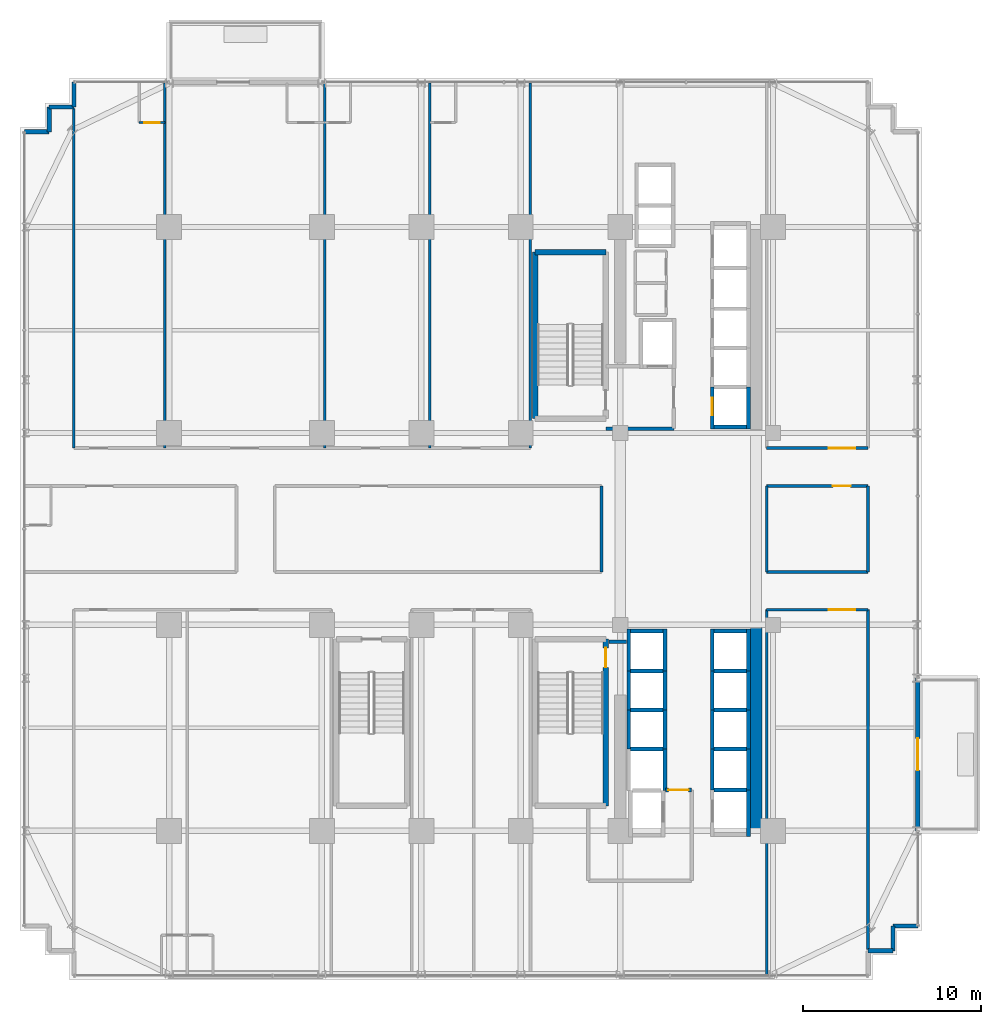
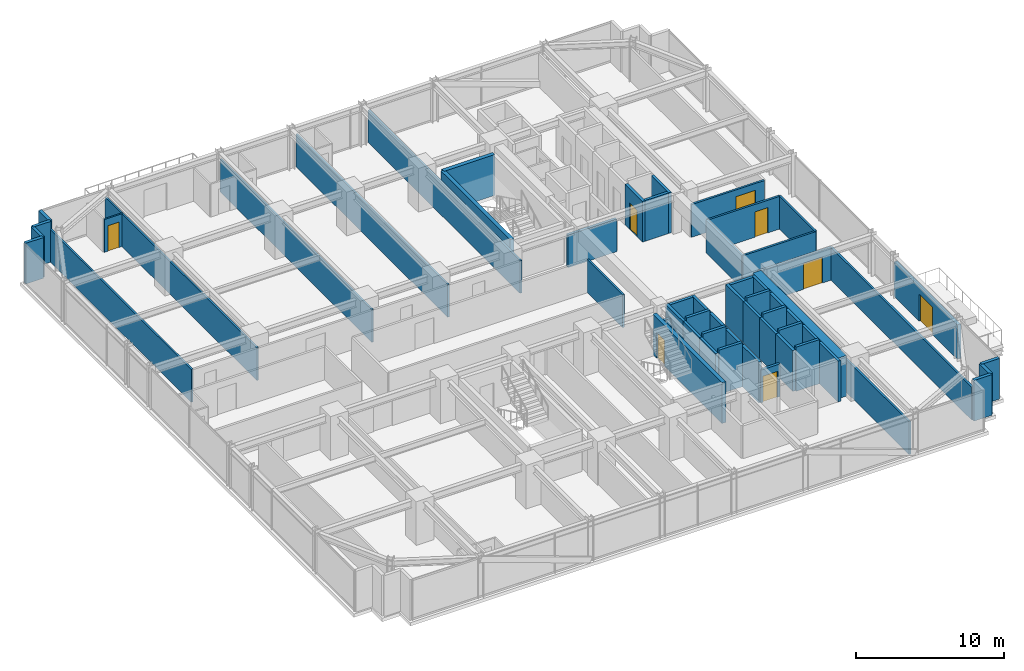
# One storey, part 30 of 35: 58 walls, 8 doors, 8 openings.
"""IFC4 building model written with IfcOpenShell, lengths in metres."""

from ifc_helpers import new_model, si_unit, direction, frame, frame_2d, origin, place, context, subcontext, project, spatial, rectangle, extrude, source, transform, mapped, material, layer, layer_set, type_object, element, fill, save


model = new_model("IFC4")

# Units and contexts
model_context = context("Model", 3, precision=1e-05, world=origin(), true_north=direction((0.0, 1.0)))
body_context = subcontext(model_context, "Body", "Model", "MODEL_VIEW")
ifc_project = project(units=[si_unit("LENGTHUNIT", "METRE"), si_unit("AREAUNIT", "SQUARE_METRE"), si_unit("VOLUMEUNIT", "CUBIC_METRE"), si_unit("PLANEANGLEUNIT", "RADIAN"), si_unit("MASSUNIT", "GRAM", prefix="KILO")], contexts=[model_context])

# Site, building, storey
site_placement = place(None, origin())
site = spatial("IfcSite", under=ifc_project, at=site_placement, CompositionType="ELEMENT")
building_placement = place(site_placement, origin())
building = spatial("IfcBuilding", under=site, at=building_placement, Name="Nahalor Promenade Grand Hotel", CompositionType="ELEMENT")
storey_placement = place(building_placement, frame((0.0, 0.0, 39.699951171875)))
storey = spatial("IfcBuildingStorey", under=building, at=storey_placement, Name="L08", CompositionType="ELEMENT", Elevation=39.699951171875)

# Walls
ifc_material_1 = material(Name="Concrete B-60 (C50/60)", Category="concrete")
ifc_layer_1 = layer(ifc_material_1, 0.64990234375)
ifc_layer_set_1 = layer_set([ifc_layer_1], Name="Concrete B-60 (C50/60)")
wall_type_1 = type_object("IfcWallType", Name="Wall-CoreShear-650", PredefinedType="SHEAR", material=ifc_layer_set_1)
shared_shape_1 = source(origin(), body_context, "Body", "SweptSolid", [
    extrude(rectangle(XDim=11.60009765625, YDim=0.64990234375, at=frame_2d((5.800048828125, 0.0))), origin(), (0.0, 0.0, 1.0), 3.3701171875),
])
wall_1_placement = place(storey_placement, frame((16.050048828125, -17.0, 0.0), z_axis=(0.0, 0.0, 1.0), x_axis=(0.0, 1.0, 0.0)))
element("IfcWall", 1, at=wall_1_placement, inside=storey, type_object=wall_type_1, Name="CWALL-L08-SE", PredefinedType="SHEAR", context=body_context, shape_type="MappedRepresentation", body=[
    mapped(shared_shape_1, transform((0.0, 0.0, 0.0), scale=1.0)),
])
ifc_material_2 = material(Name="Concrete B-50 (C40/50)", Category="concrete")
ifc_layer_2 = layer(ifc_material_2, 0.300048828125)
ifc_layer_set_2 = layer_set([ifc_layer_2], Name="Concrete B-50 (C40/50)")
wall_type_2 = type_object("IfcWallType", Name="Wall-ShaftShear-300", PredefinedType="SHEAR", material=ifc_layer_set_2)
shared_shape_2 = source(origin(), body_context, "Body", "SweptSolid", [
    extrude(rectangle(XDim=3.97998046875, YDim=0.300048828125, at=frame_2d((1.989990234375, 0.0))), origin(), (0.0, 0.0, 1.0), 3.3701171875),
])
wall_2_placement = place(storey_placement, frame((3.610107421875, 15.590087890625, 0.0), z_axis=(0.0, 0.0, 1.0), x_axis=(1.0, 0.0, 0.0)))
element("IfcWall", 2, at=wall_2_placement, inside=storey, type_object=wall_type_2, Name="L08 Exit Stair ST1 Shaft Wall N", PredefinedType="SHEAR", context=body_context, shape_type="MappedRepresentation", body=[
    mapped(shared_shape_2, transform((0.0, 0.0, 0.0), scale=1.0)),
])
shared_shape_3 = source(origin(), body_context, "Body", "SweptSolid", [
    extrude(rectangle(XDim=9.380126953125, YDim=0.300048828125, at=frame_2d((4.68994140625, 0.0))), origin(), (0.0, 0.0, 1.0), 3.3701171875),
])
wall_3_placement = place(storey_placement, frame((3.610107421875, 6.2099609375, 0.0), z_axis=(0.0, 0.0, 1.0), x_axis=(0.0, 1.0, 0.0)))
element("IfcWall", 3, at=wall_3_placement, inside=storey, type_object=wall_type_2, Name="L08 Exit Stair ST1 Shaft Wall W", PredefinedType="SHEAR", context=body_context, shape_type="MappedRepresentation", body=[
    mapped(shared_shape_3, transform((0.0, 0.0, 0.0), scale=1.0)),
])

# Wall, opening, door
wall_4_placement = place(storey_placement, frame((7.590087890625, -15.590087890625, 0.0), z_axis=(0.0, 0.0, 1.0), x_axis=(0.0, 1.0, 0.0)))
wall_4 = element("IfcWall", 4, at=wall_4_placement, inside=storey, type_object=wall_type_2, Name="L08 Exit Stair ST2 Shaft Wall E", PredefinedType="SHEAR", context=body_context, shape_type="MappedRepresentation", body=[
    mapped(shared_shape_3, transform((0.0, 0.0, 0.0), scale=1.0)),
])
opening_1_placement = place(wall_4_placement, frame((7.7900390625, 0.0, 0.0)))
opening_1 = element("IfcOpeningElement", 5, at=opening_1_placement, cuts=wall_4, Name="Opening D-ST1", PredefinedType="OPENING", context=body_context, shape_type="SweptSolid", body=[
    extrude(rectangle(XDim=1.10009765625, YDim=2.14990234375, at=frame_2d((0.550048828125, 1.074951171875))), frame((0.0, 0.159912109375, 0.0), z_axis=(0.0, -1.0, 0.0), x_axis=(1.0, 0.0, 0.0)), (0.0, 0.0, 1.0), 0.320068359375),
])
ifc_material_3 = material(Name="Steel S355JR", Category="steel")
door_type_1 = type_object("IfcDoorType", Name="Door-StairFire-1100", OperationType="NOTDEFINED", PredefinedType="DOOR", material=ifc_material_3)
shared_shape_4 = source(origin(), body_context, "Body", "SweptSolid", [
    extrude(rectangle(XDim=1.10009765625, YDim=2.14990234375, at=frame_2d((0.550048828125, 1.074951171875))), frame((0.0, 0.02490234375, 0.0), z_axis=(0.0, -1.0, 0.0), x_axis=(1.0, 0.0, 0.0)), (0.0, 0.0, 1.0), 0.050048828125),
])
door_1_placement = place(opening_1_placement, origin())
door_1 = element("IfcDoor", 6, at=door_1_placement, inside=storey, type_object=door_type_1, Name="DR-STAIR-ST2-L08", OperationType="SINGLE_SWING_LEFT", OverallHeight=2.14990234375, OverallWidth=1.10009765625, PredefinedType="DOOR", context=body_context, shape_type="MappedRepresentation", body=[
    mapped(shared_shape_4, transform((0.0, 0.0, 0.0), scale=1.0)),
])
fill(opening_1, door_1)

ifc_layer_3 = layer(ifc_material_2, 0.219970703125)
ifc_layer_set_3 = layer_set([ifc_layer_3], Name="Concrete B-50 (C40/50)")
wall_type_3 = type_object("IfcWallType", Name="Wall-LiftShaft-220", PredefinedType="SHEAR", material=ifc_layer_set_3)
shared_shape_5 = source(origin(), body_context, "Body", "SweptSolid", [
    extrude(rectangle(XDim=2.360107421875, YDim=0.219970703125, at=frame_2d((1.18017578125, 0.0))), origin(), (0.0, 0.0, 1.0), 3.3701171875),
])
wall_5_placement = place(storey_placement, frame((13.580078125, 5.639892578125, 0.0), z_axis=(0.0, 0.0, 1.0), x_axis=(0.0, 1.0, 0.0)))
wall_5 = element("IfcWall", 7, at=wall_5_placement, inside=storey, type_object=wall_type_3, Name="L08 Lift PL1 Hoistway Wall W", PredefinedType="SHEAR", context=body_context, shape_type="MappedRepresentation", body=[
    mapped(shared_shape_5, transform((0.0, 0.0, 0.0), scale=1.0)),
])
opening_2_placement = place(wall_5_placement, frame((0.760009765625, 0.0, 0.0)))
opening_2 = element("IfcOpeningElement", 8, at=opening_2_placement, cuts=wall_5, Name="Opening LD-01", PredefinedType="OPENING", context=body_context, shape_type="SweptSolid", body=[
    extrude(rectangle(XDim=1.0, YDim=2.199951171875, at=frame_2d((0.5, 1.10009765625))), frame((0.0, 0.119873046875, 0.0), z_axis=(0.0, -1.0, 0.0), x_axis=(1.0, 0.0, 0.0)), (0.0, 0.0, 1.0), 0.239990234375),
])
door_type_2 = type_object("IfcDoorType", Name="Door-LiftLanding-1000", OperationType="DOUBLE_DOOR_SLIDING", PredefinedType="DOOR", material=ifc_material_3)
shared_shape_6 = source(origin(), body_context, "Body", "SweptSolid", [
    extrude(rectangle(XDim=1.0, YDim=2.199951171875, at=frame_2d((0.5, 1.10009765625))), frame((0.0, 0.02490234375, 0.0), z_axis=(0.0, -1.0, 0.0), x_axis=(1.0, 0.0, 0.0)), (0.0, 0.0, 1.0), 0.050048828125),
])
door_2_placement = place(opening_2_placement, origin())
door_2 = element("IfcDoor", 9, at=door_2_placement, inside=storey, type_object=door_type_2, Name="DR-LIFT-PL1-L08", OperationType="DOUBLE_DOOR_SLIDING", OverallHeight=2.199951171875, OverallWidth=1.0, PredefinedType="DOOR", context=body_context, shape_type="MappedRepresentation", body=[
    mapped(shared_shape_6, transform((0.0, 0.0, 0.0), scale=1.0)),
])
fill(opening_2, door_2)

# Walls
for number, where, z_axis, x_axis, name in (
    (10, (15.6201171875, 5.639892578125, 0.0), (0.0, 0.0, 1.0), (0.0, 1.0, 0.0), "L08 Lift PL1 Hoistway Wall E"),
    (11, (13.580078125, -8.0, 0.0), (0.0, 0.0, 1.0), (0.0, 1.0, 0.0), "L08 Lift PL5 Hoistway Wall W"),
    (12, (15.6201171875, -8.0, 0.0), (0.0, 0.0, 1.0), (0.0, 1.0, 0.0), "L08 Lift PL5 Hoistway Wall E"),
    (13, (8.8798828125, -8.0, 0.0), (0.0, 0.0, 1.0), (0.0, 1.0, 0.0), "L08 Lift PL9 Hoistway Wall W"),
    (14, (10.919921875, -8.0, 0.0), (0.0, 0.0, 1.0), (0.0, 1.0, 0.0), "L08 Lift PL9 Hoistway Wall E"),
):
    element("IfcWall", number, at=place(storey_placement, frame(where, z_axis=z_axis, x_axis=x_axis)), inside=storey, type_object=wall_type_3, Name=name, PredefinedType="SHEAR", context=body_context, shape_type="MappedRepresentation", body=[
        mapped(shared_shape_5, transform((0.0, 0.0, 0.0), scale=1.0)),
    ])
shared_shape_7 = source(origin(), body_context, "Body", "SweptSolid", [
    extrude(rectangle(XDim=1.820068359375, YDim=0.219970703125, at=frame_2d((0.91015625, 0.0))), origin(), (0.0, 0.0, 1.0), 3.3701171875),
])
for number, where, z_axis, x_axis, name in (
    (15, (13.68994140625, 5.75, 0.0), (0.0, 0.0, 1.0), (1.0, 0.0, 0.0), "L08 Lift PL1 Hoistway Wall S"),
    (16, (13.68994140625, -5.75, 0.0), (0.0, 0.0, 1.0), (1.0, 0.0, 0.0), "L08 Lift PL5 Hoistway Wall N"),
    (17, (8.989990234375, -5.75, 0.0), (0.0, 0.0, 1.0), (1.0, 0.0, 0.0), "L08 Lift PL9 Hoistway Wall N"),
):
    element("IfcWall", number, at=place(storey_placement, frame(where, z_axis=z_axis, x_axis=x_axis)), inside=storey, type_object=wall_type_3, Name=name, PredefinedType="SHEAR", context=body_context, shape_type="MappedRepresentation", body=[
        mapped(shared_shape_7, transform((0.0, 0.0, 0.0), scale=1.0)),
    ])
shared_shape_8 = source(origin(), body_context, "Body", "SweptSolid", [
    extrude(rectangle(XDim=1.820068359375, YDim=0.219970703125, at=frame_2d((0.91015625, 0.0))), origin(), (0.0, 0.0, 1.0), 3.650146484375),
])
for number, where, z_axis, x_axis, name in (
    (18, (13.68994140625, -8.0, 0.0), (0.0, 0.0, 1.0), (1.0, 0.0, 0.0), "L08 Lift PL6 Hoistway Wall N"),
    (19, (13.68994140625, -10.199951171875, 0.0), (0.0, 0.0, 1.0), (1.0, 0.0, 0.0), "L08 Lift PL7 Hoistway Wall N"),
    (20, (13.68994140625, -12.39990234375, 0.0), (0.0, 0.0, 1.0), (1.0, 0.0, 0.0), "L08 Lift PL8 Hoistway Wall N"),
    (21, (8.989990234375, -8.0, 0.0), (0.0, 0.0, 1.0), (1.0, 0.0, 0.0), "L08 Lift PL10 Hoistway Wall N"),
    (22, (8.989990234375, -10.199951171875, 0.0), (0.0, 0.0, 1.0), (1.0, 0.0, 0.0), "L08 Lift PL11 Hoistway Wall N"),
    (23, (8.989990234375, -12.39990234375, 0.0), (0.0, 0.0, 1.0), (1.0, 0.0, 0.0), "L08 Lift PL12 Hoistway Wall N"),
    (24, (13.68994140625, -14.699951171875, 0.0), (0.0, 0.0, 1.0), (1.0, 0.0, 0.0), "L08 Lift SV2 Hoistway Wall N"),
):
    element("IfcWall", number, at=place(storey_placement, frame(where, z_axis=z_axis, x_axis=x_axis)), inside=storey, type_object=wall_type_3, Name=name, PredefinedType="SHEAR", context=body_context, shape_type="MappedRepresentation", body=[
        mapped(shared_shape_8, transform((0.0, 0.0, 0.0), scale=1.0)),
    ])
shared_shape_9 = source(origin(), body_context, "Body", "SweptSolid", [
    extrude(rectangle(XDim=2.199951171875, YDim=0.219970703125, at=frame_2d((1.10009765625, 0.0))), origin(), (0.0, 0.0, 1.0), 3.3701171875),
])
for number, where, z_axis, x_axis, name in (
    (25, (13.580078125, -10.199951171875, 0.0), (0.0, 0.0, 1.0), (0.0, 1.0, 0.0), "L08 Lift PL6 Hoistway Wall W"),
    (26, (15.6201171875, -10.199951171875, 0.0), (0.0, 0.0, 1.0), (0.0, 1.0, 0.0), "L08 Lift PL6 Hoistway Wall E"),
    (27, (13.580078125, -12.39990234375, 0.0), (0.0, 0.0, 1.0), (0.0, 1.0, 0.0), "L08 Lift PL7 Hoistway Wall W"),
    (28, (15.6201171875, -12.39990234375, 0.0), (0.0, 0.0, 1.0), (0.0, 1.0, 0.0), "L08 Lift PL7 Hoistway Wall E"),
    (29, (8.8798828125, -10.199951171875, 0.0), (0.0, 0.0, 1.0), (0.0, 1.0, 0.0), "L08 Lift PL10 Hoistway Wall W"),
    (30, (10.919921875, -10.199951171875, 0.0), (0.0, 0.0, 1.0), (0.0, 1.0, 0.0), "L08 Lift PL10 Hoistway Wall E"),
    (31, (8.8798828125, -12.39990234375, 0.0), (0.0, 0.0, 1.0), (0.0, 1.0, 0.0), "L08 Lift PL11 Hoistway Wall W"),
    (32, (10.919921875, -12.39990234375, 0.0), (0.0, 0.0, 1.0), (0.0, 1.0, 0.0), "L08 Lift PL11 Hoistway Wall E"),
):
    element("IfcWall", number, at=place(storey_placement, frame(where, z_axis=z_axis, x_axis=x_axis)), inside=storey, type_object=wall_type_3, Name=name, PredefinedType="SHEAR", context=body_context, shape_type="MappedRepresentation", body=[
        mapped(shared_shape_9, transform((0.0, 0.0, 0.0), scale=1.0)),
    ])
shared_shape_10 = source(origin(), body_context, "Body", "SweptSolid", [
    extrude(rectangle(XDim=2.300048828125, YDim=0.219970703125, at=frame_2d((1.14990234375, 0.0))), origin(), (0.0, 0.0, 1.0), 3.3701171875),
])
for number, where, z_axis, x_axis, name in (
    (33, (13.580078125, -14.699951171875, 0.0), (0.0, 0.0, 1.0), (0.0, 1.0, 0.0), "L08 Lift PL8 Hoistway Wall W"),
    (34, (15.6201171875, -14.699951171875, 0.0), (0.0, 0.0, 1.0), (0.0, 1.0, 0.0), "L08 Lift PL8 Hoistway Wall E"),
):
    element("IfcWall", number, at=place(storey_placement, frame(where, z_axis=z_axis, x_axis=x_axis)), inside=storey, type_object=wall_type_3, Name=name, PredefinedType="SHEAR", context=body_context, shape_type="MappedRepresentation", body=[
        mapped(shared_shape_10, transform((0.0, 0.0, 0.0), scale=1.0)),
    ])
shared_shape_11 = source(origin(), body_context, "Body", "SweptSolid", [
    extrude(rectangle(XDim=2.3251953125, YDim=0.219970703125, at=frame_2d((1.16259765625, 0.0))), origin(), (0.0, 0.0, 1.0), 3.3701171875),
])
wall_6_placement = place(storey_placement, frame((10.919921875, -14.72509765625, 0.0), z_axis=(0.0, 0.0, 1.0), x_axis=(0.0, 1.0, 0.0)))
element("IfcWall", 35, at=wall_6_placement, inside=storey, type_object=wall_type_3, Name="L08 Lift PL12 Hoistway Wall E", PredefinedType="SHEAR", context=body_context, shape_type="MappedRepresentation", body=[
    mapped(shared_shape_11, transform((0.0, 0.0, 0.0), scale=1.0)),
])
shared_shape_12 = source(origin(), body_context, "Body", "SweptSolid", [
    extrude(rectangle(XDim=2.610107421875, YDim=0.219970703125, at=frame_2d((1.30517578125, 0.0))), origin(), (0.0, 0.0, 1.0), 3.3701171875),
])
wall_7_placement = place(storey_placement, frame((15.6201171875, -17.31005859375, 0.0), z_axis=(0.0, 0.0, 1.0), x_axis=(0.0, 1.0, 0.0)))
element("IfcWall", 36, at=wall_7_placement, inside=storey, type_object=wall_type_3, Name="L08 Lift SV2 Hoistway Wall E", PredefinedType="SHEAR", context=body_context, shape_type="MappedRepresentation", body=[
    mapped(shared_shape_12, transform((0.0, 0.0, 0.0), scale=1.0)),
])
ifc_material_4 = material(Name="Concrete B-40 (C32/40)", Category="concrete")
ifc_layer_4 = layer(ifc_material_4, 0.25)
ifc_layer_set_4 = layer_set([ifc_layer_4], Name="Concrete B-40 (C32/40)")
wall_type_4 = type_object("IfcWallType", Name="Wall-BronzePier-250", PredefinedType="STANDARD", material=ifc_layer_set_4)
shared_shape_13 = source(origin(), body_context, "Body", "SweptSolid", [
    extrude(rectangle(XDim=1.39990234375, YDim=0.25, at=frame_2d((0.699951171875, 0.0))), origin(), (0.0, 0.0, 1.0), 3.3701171875),
])
for number, where, z_axis, x_axis, name in (
    (37, (22.360107421875, -23.760009765625, 0.0), (0.0, 0.0, 1.0), (1.0, 0.0, 0.0), "W-L08-SR-02"),
    (38, (23.760009765625, -23.760009765625, 0.0), (0.0, 0.0, 1.0), (0.0, 1.0, 0.0), "W-L08-SR-03"),
    (39, (23.760009765625, -22.360107421875, 0.0), (0.0, 0.0, 1.0), (1.0, 0.0, 0.0), "W-L08-SR-04"),
    (40, (-22.360107421875, 23.760009765625, 0.0), (0.0, 0.0, 1.0), (0.0, 1.0, 0.0), "W-L08-SR-09"),
    (41, (-23.760009765625, 23.760009765625, 0.0), (0.0, 0.0, 1.0), (1.0, 0.0, 0.0), "W-L08-SR-10"),
    (42, (-23.760009765625, 22.360107421875, 0.0), (0.0, 0.0, 1.0), (0.0, 1.0, 0.0), "W-L08-SR-11"),
    (43, (-25.159912109375, 22.360107421875, 0.0), (0.0, 0.0, 1.0), (1.0, 0.0, 0.0), "W-L08-SR-12"),
):
    element("IfcWall", number, at=place(storey_placement, frame(where, z_axis=z_axis, x_axis=x_axis)), inside=storey, type_object=wall_type_4, Name=name, PredefinedType="STANDARD", context=body_context, shape_type="MappedRepresentation", body=[
        mapped(shared_shape_13, transform((0.0, 0.0, 0.0), scale=1.0)),
    ])

# Wall, opening, door
ifc_layer_5 = layer(ifc_material_4, 0.260009765625)
ifc_layer_set_5 = layer_set([ifc_layer_5], Name="Concrete B-40 (C32/40)")
wall_type_5 = type_object("IfcWallType", Name="Wall-BalconyWall-260", PredefinedType="STANDARD", material=ifc_layer_set_5)
shared_shape_14 = source(origin(), body_context, "Body", "SweptSolid", [
    extrude(rectangle(XDim=8.60009765625, YDim=0.260009765625, at=frame_2d((4.300048828125, 0.0))), origin(), (0.0, 0.0, 1.0), 2.85009765625),
])
wall_8_placement = place(storey_placement, frame((25.159912109375, -17.0, 0.0), z_axis=(0.0, 0.0, 1.0), x_axis=(0.0, 1.0, 0.0)))
wall_8 = element("IfcWall", 44, at=wall_8_placement, inside=storey, type_object=wall_type_5, Name="W-L08-BALC-E-2", PredefinedType="STANDARD", context=body_context, shape_type="MappedRepresentation", body=[
    mapped(shared_shape_14, transform((0.0, 0.0, 0.0), scale=1.0)),
])
opening_3_placement = place(wall_8_placement, frame((3.39990234375, 0.0, 0.0)))
opening_3 = element("IfcOpeningElement", 45, at=opening_3_placement, cuts=wall_8, Name="Opening D-BC1", PredefinedType="OPENING", context=body_context, shape_type="SweptSolid", body=[
    extrude(rectangle(XDim=1.800048828125, YDim=2.25, at=frame_2d((0.89990234375, 1.125))), frame((0.0, 0.139892578125, 0.0), z_axis=(0.0, -1.0, 0.0), x_axis=(1.0, 0.0, 0.0)), (0.0, 0.0, 1.0), 0.280029296875),
])
ifc_material_5 = material(Name="Anodised Bronze Aluminium EN AW-6063 T6", Category="aluminium")
door_type_3 = type_object("IfcDoorType", Name="Door-BalconySlide-1800", OperationType="DOUBLE_DOOR_SLIDING", PredefinedType="DOOR", material=ifc_material_5)
shared_shape_15 = source(origin(), body_context, "Body", "SweptSolid", [
    extrude(rectangle(XDim=1.800048828125, YDim=2.25, at=frame_2d((0.89990234375, 1.125))), frame((0.0, 0.02490234375, 0.0), z_axis=(0.0, -1.0, 0.0), x_axis=(1.0, 0.0, 0.0)), (0.0, 0.0, 1.0), 0.050048828125),
])
door_3_placement = place(opening_3_placement, frame((1.800048828125, 0.0, 0.0), z_axis=(0.0, 0.0, 1.0), x_axis=(-1.0, 0.0, 0.0)))
door_3 = element("IfcDoor", 46, at=door_3_placement, inside=storey, type_object=door_type_3, Name="DR-L08-BALC-E-2", OperationType="DOUBLE_DOOR_SLIDING", OverallHeight=2.25, OverallWidth=1.800048828125, PredefinedType="DOOR", context=body_context, shape_type="MappedRepresentation", body=[
    mapped(shared_shape_15, transform((0.0, 0.0, 0.0), scale=1.0)),
])
fill(opening_3, door_3)

# Wall
ifc_layer_6 = layer(ifc_material_4, 0.199951171875)
ifc_layer_set_6 = layer_set([ifc_layer_6], Name="Concrete B-40 (C32/40)")
wall_type_6 = type_object("IfcWallType", Name="Wall-PartFire-200", PredefinedType="PARTITIONING", material=ifc_layer_set_6)
shared_shape_16 = source(origin(), body_context, "Body", "SweptSolid", [
    extrude(rectangle(XDim=3.81982421875, YDim=0.199951171875, at=frame_2d((1.909912109375, 0.0))), origin(), (0.0, 0.0, 1.0), 2.7099609375),
])
wall_9_placement = place(storey_placement, frame((7.60009765625, 5.64990234375, 0.0), z_axis=(0.0, 0.0, 1.0), x_axis=(1.0, 0.0, 0.0)))
element("IfcWall", 47, at=wall_9_placement, inside=storey, type_object=wall_type_6, Name="W-L08-FF1-S", PredefinedType="PARTITIONING", context=body_context, shape_type="MappedRepresentation", body=[
    mapped(shared_shape_16, transform((0.0, 0.0, 0.0), scale=1.0)),
])

# Wall, opening, door
shared_shape_17 = source(origin(), body_context, "Body", "SweptSolid", [
    extrude(rectangle(XDim=1.4599609375, YDim=0.199951171875, at=frame_2d((0.72998046875, 0.0))), origin(), (0.0, 0.0, 1.0), 2.7099609375),
])
wall_10_placement = place(storey_placement, frame((10.9599609375, -14.699951171875, 0.0), z_axis=(0.0, 0.0, 1.0), x_axis=(1.0, 0.0, 0.0)))
wall_10 = element("IfcWall", 48, at=wall_10_placement, inside=storey, type_object=wall_type_6, Name="W-L08-FF2-N1", PredefinedType="PARTITIONING", context=body_context, shape_type="MappedRepresentation", body=[
    mapped(shared_shape_17, transform((0.0, 0.0, 0.0), scale=1.0)),
])
opening_4_placement = place(wall_10_placement, frame((0.14501953125, 0.0, 0.0)))
opening_4 = element("IfcOpeningElement", 49, at=opening_4_placement, cuts=wall_10, Name="Opening D-FF1", PredefinedType="OPENING", context=body_context, shape_type="SweptSolid", body=[
    extrude(rectangle(XDim=1.14990234375, YDim=2.14990234375, at=frame_2d((0.574951171875, 1.074951171875))), frame((0.0, 0.10986328125, 0.0), z_axis=(0.0, -1.0, 0.0), x_axis=(1.0, 0.0, 0.0)), (0.0, 0.0, 1.0), 0.219970703125),
])
door_type_4 = type_object("IfcDoorType", Name="Door-FFLobby-1150", OperationType="NOTDEFINED", PredefinedType="DOOR", material=ifc_material_3)
shared_shape_18 = source(origin(), body_context, "Body", "SweptSolid", [
    extrude(rectangle(XDim=1.14990234375, YDim=2.14990234375, at=frame_2d((0.574951171875, 1.074951171875))), frame((0.0, 0.02490234375, 0.0), z_axis=(0.0, -1.0, 0.0), x_axis=(1.0, 0.0, 0.0)), (0.0, 0.0, 1.0), 0.050048828125),
])
door_4_placement = place(opening_4_placement, origin())
door_4 = element("IfcDoor", 50, at=door_4_placement, inside=storey, type_object=door_type_4, Name="DR-L08-FFL2", OperationType="SINGLE_SWING_LEFT", OverallHeight=2.14990234375, OverallWidth=1.14990234375, PredefinedType="DOOR", context=body_context, shape_type="MappedRepresentation", body=[
    mapped(shared_shape_18, transform((0.0, 0.0, 0.0), scale=1.0)),
])
fill(opening_4, door_4)

# Wall
shared_shape_19 = source(origin(), body_context, "Body", "SweptSolid", [
    extrude(rectangle(XDim=0.969970703125, YDim=0.199951171875, at=frame_2d((0.48486328125, 0.0))), origin(), (0.0, 0.0, 1.0), 2.7099609375),
])
wall_11_placement = place(storey_placement, frame((7.77001953125, -6.35009765625, 0.0), z_axis=(0.0, 0.0, 1.0), x_axis=(1.0, 0.0, 0.0)))
element("IfcWall", 51, at=wall_11_placement, inside=storey, type_object=wall_type_6, Name="W-L08-FF2-N2", PredefinedType="PARTITIONING", context=body_context, shape_type="MappedRepresentation", body=[
    mapped(shared_shape_19, transform((0.0, 0.0, 0.0), scale=1.0)),
])

# Wall, opening, door
ifc_material_6 = material(Name="Acoustic Mineral Gypsum", Category="gypsum")
ifc_layer_7 = layer(ifc_material_6, 0.159912109375)
ifc_layer_set_7 = layer_set([ifc_layer_7], Name="Acoustic Mineral Gypsum")
wall_type_7 = type_object("IfcWallType", Name="Wall-PartCorridor-160", PredefinedType="PARTITIONING", material=ifc_layer_set_7)
shared_shape_20 = source(origin(), body_context, "Body", "SweptSolid", [
    extrude(rectangle(XDim=5.710205078125, YDim=0.159912109375, at=frame_2d((2.85498046875, 0.0))), origin(), (0.0, 0.0, 1.0), 2.7099609375),
])
wall_12_placement = place(storey_placement, frame((16.64990234375, 4.550048828125, 0.0), z_axis=(0.0, 0.0, 1.0), x_axis=(1.0, 0.0, 0.0)))
wall_12 = element("IfcWall", 52, at=wall_12_placement, inside=storey, type_object=wall_type_7, Name="W-L08-ENE-S", PredefinedType="PARTITIONING", context=body_context, shape_type="MappedRepresentation", body=[
    mapped(shared_shape_20, transform((0.0, 0.0, 0.0), scale=1.0)),
])
opening_5_placement = place(wall_12_placement, frame((3.47900390625, 0.0, 0.0)))
opening_5 = element("IfcOpeningElement", 53, at=opening_5_placement, cuts=wall_12, Name="Opening D-02", PredefinedType="OPENING", context=body_context, shape_type="SweptSolid", body=[
    extrude(rectangle(XDim=1.5, YDim=2.14990234375, at=frame_2d((0.75, 1.074951171875))), frame((0.0, 0.08984375, 0.0), z_axis=(0.0, -1.0, 0.0), x_axis=(1.0, 0.0, 0.0)), (0.0, 0.0, 1.0), 0.179931640625),
])
ifc_material_7 = material(Name="Fire-Rated Timber Composite", Category="wood")
door_type_5 = type_object("IfcDoorType", Name="Door-SuiteDouble-1500", OperationType="DOUBLE_DOOR_SINGLE_SWING", PredefinedType="DOOR", material=ifc_material_7)
shared_shape_21 = source(origin(), body_context, "Body", "SweptSolid", [
    extrude(rectangle(XDim=1.5, YDim=2.14990234375, at=frame_2d((0.75, 1.074951171875))), frame((0.0, 0.02490234375, 0.0), z_axis=(0.0, -1.0, 0.0), x_axis=(1.0, 0.0, 0.0)), (0.0, 0.0, 1.0), 0.050048828125),
])
door_5_placement = place(opening_5_placement, origin())
door_5 = element("IfcDoor", 54, at=door_5_placement, inside=storey, type_object=door_type_5, Name="DR-L08-ENE", OperationType="DOUBLE_DOOR_SINGLE_SWING", OverallHeight=2.14990234375, OverallWidth=1.5, PredefinedType="DOOR", context=body_context, shape_type="MappedRepresentation", body=[
    mapped(shared_shape_21, transform((0.0, 0.0, 0.0), scale=1.0)),
])
fill(opening_5, door_5)

wall_13_placement = place(storey_placement, frame((16.64990234375, -4.550048828125, 0.0), z_axis=(0.0, 0.0, 1.0), x_axis=(1.0, 0.0, 0.0)))
wall_13 = element("IfcWall", 55, at=wall_13_placement, inside=storey, type_object=wall_type_7, Name="W-L08-ESE-N", PredefinedType="PARTITIONING", context=body_context, shape_type="MappedRepresentation", body=[
    mapped(shared_shape_20, transform((0.0, 0.0, 0.0), scale=1.0)),
])
opening_6_placement = place(wall_13_placement, frame((3.47900390625, 0.0, 0.0)))
opening_6 = element("IfcOpeningElement", 56, at=opening_6_placement, cuts=wall_13, Name="Opening D-02", PredefinedType="OPENING", context=body_context, shape_type="SweptSolid", body=[
    extrude(rectangle(XDim=1.5, YDim=2.14990234375, at=frame_2d((0.75, 1.074951171875))), frame((0.0, 0.08984375, 0.0), z_axis=(0.0, -1.0, 0.0), x_axis=(1.0, 0.0, 0.0)), (0.0, 0.0, 1.0), 0.179931640625),
])
door_6_placement = place(opening_6_placement, frame((1.5, 0.0, 0.0), z_axis=(0.0, 0.0, 1.0), x_axis=(-1.0, 0.0, 0.0)))
door_6 = element("IfcDoor", 57, at=door_6_placement, inside=storey, type_object=door_type_5, Name="DR-L08-ESE", OperationType="DOUBLE_DOOR_SINGLE_SWING", OverallHeight=2.14990234375, OverallWidth=1.5, PredefinedType="DOOR", context=body_context, shape_type="MappedRepresentation", body=[
    mapped(shared_shape_21, transform((0.0, 0.0, 0.0), scale=1.0)),
])
fill(opening_6, door_6)

# Wall
wall_14_placement = place(storey_placement, frame((16.64990234375, -2.419921875, 0.0), z_axis=(0.0, 0.0, 1.0), x_axis=(1.0, 0.0, 0.0)))
element("IfcWall", 58, at=wall_14_placement, inside=storey, type_object=wall_type_7, Name="W-L08-ECW-S", PredefinedType="PARTITIONING", context=body_context, shape_type="MappedRepresentation", body=[
    mapped(shared_shape_20, transform((0.0, 0.0, 0.0), scale=1.0)),
])

# Wall, opening, door
wall_15_placement = place(storey_placement, frame((16.64990234375, 2.419921875, 0.0), z_axis=(0.0, 0.0, 1.0), x_axis=(1.0, 0.0, 0.0)))
wall_15 = element("IfcWall", 59, at=wall_15_placement, inside=storey, type_object=wall_type_7, Name="W-L08-ECW-N", PredefinedType="PARTITIONING", context=body_context, shape_type="MappedRepresentation", body=[
    mapped(shared_shape_20, transform((0.0, 0.0, 0.0), scale=1.0)),
])
opening_7_placement = place(wall_15_placement, frame((3.72900390625, 0.0, 0.0)))
opening_7 = element("IfcOpeningElement", 60, at=opening_7_placement, cuts=wall_15, Name="Opening D-04", PredefinedType="OPENING", context=body_context, shape_type="SweptSolid", body=[
    extrude(rectangle(XDim=1.0, YDim=2.10009765625, at=frame_2d((0.5, 1.050048828125))), frame((0.0, 0.08984375, 0.0), z_axis=(0.0, -1.0, 0.0), x_axis=(1.0, 0.0, 0.0)), (0.0, 0.0, 1.0), 0.179931640625),
])
door_type_6 = type_object("IfcDoorType", Name="Door-ServiceFire-1000", OperationType="NOTDEFINED", PredefinedType="DOOR", material=ifc_material_3)
shared_shape_22 = source(origin(), body_context, "Body", "SweptSolid", [
    extrude(rectangle(XDim=1.0, YDim=2.10009765625, at=frame_2d((0.5, 1.050048828125))), frame((0.0, 0.02490234375, 0.0), z_axis=(0.0, -1.0, 0.0), x_axis=(1.0, 0.0, 0.0)), (0.0, 0.0, 1.0), 0.050048828125),
])
door_7_placement = place(opening_7_placement, frame((1.0, 0.0, 0.0), z_axis=(0.0, 0.0, 1.0), x_axis=(-1.0, 0.0, 0.0)))
door_7 = element("IfcDoor", 61, at=door_7_placement, inside=storey, type_object=door_type_6, Name="DR-L08-ECW", OperationType="SINGLE_SWING_LEFT", OverallHeight=2.10009765625, OverallWidth=1.0, PredefinedType="DOOR", context=body_context, shape_type="MappedRepresentation", body=[
    mapped(shared_shape_22, transform((0.0, 0.0, 0.0), scale=1.0)),
])
fill(opening_7, door_7)

# Walls
shared_shape_23 = source(origin(), body_context, "Body", "SweptSolid", [
    extrude(rectangle(XDim=20.550048828125, YDim=0.159912109375, at=frame_2d((10.27490234375, 0.0))), origin(), (0.0, 0.0, 1.0), 2.7099609375),
])
wall_16_placement = place(storey_placement, frame((16.64990234375, -25.10009765625, 0.0), z_axis=(0.0, 0.0, 1.0), x_axis=(0.0, 1.0, 0.0)))
element("IfcWall", 62, at=wall_16_placement, inside=storey, type_object=wall_type_7, Name="W-L08-ESE-W", PredefinedType="PARTITIONING", context=body_context, shape_type="MappedRepresentation", body=[
    mapped(shared_shape_23, transform((0.0, 0.0, 0.0), scale=1.0)),
])
shared_shape_24 = source(origin(), body_context, "Body", "SweptSolid", [
    extrude(rectangle(XDim=19.1298828125, YDim=0.159912109375, at=frame_2d((9.56494140625, 0.0))), origin(), (0.0, 0.0, 1.0), 2.7099609375),
])
wall_17_placement = place(storey_placement, frame((22.360107421875, -23.679931640625, 0.0), z_axis=(0.0, 0.0, 1.0), x_axis=(0.0, 1.0, 0.0)))
element("IfcWall", 63, at=wall_17_placement, inside=storey, type_object=wall_type_7, Name="W-L08-ESE-E", PredefinedType="PARTITIONING", context=body_context, shape_type="MappedRepresentation", body=[
    mapped(shared_shape_24, transform((0.0, 0.0, 0.0), scale=1.0)),
])
ifc_layer_8 = layer(ifc_material_6, 0.139892578125)
ifc_layer_set_8 = layer_set([ifc_layer_8], Name="Acoustic Mineral Gypsum")
wall_type_8 = type_object("IfcWallType", Name="Wall-PartSuite-140", PredefinedType="PARTITIONING", material=ifc_layer_set_8)
shared_shape_25 = source(origin(), body_context, "Body", "SweptSolid", [
    extrude(rectangle(XDim=19.1298828125, YDim=0.139892578125, at=frame_2d((9.56494140625, 0.0))), origin(), (0.0, 0.0, 1.0), 2.7099609375),
])
wall_18_placement = place(storey_placement, frame((-22.360107421875, 4.550048828125, 0.0), z_axis=(0.0, 0.0, 1.0), x_axis=(0.0, 1.0, 0.0)))
element("IfcWall", 64, at=wall_18_placement, inside=storey, type_object=wall_type_8, Name="W-L08-NW-ENDW", PredefinedType="PARTITIONING", context=body_context, shape_type="MappedRepresentation", body=[
    mapped(shared_shape_25, transform((0.0, 0.0, 0.0), scale=1.0)),
])
shared_shape_26 = source(origin(), body_context, "Body", "SweptSolid", [
    extrude(rectangle(XDim=20.550048828125, YDim=0.139892578125, at=frame_2d((10.27490234375, 0.0))), origin(), (0.0, 0.0, 1.0), 2.7099609375),
])
for number, where, z_axis, x_axis, name in (
    (65, (3.340087890625, 4.550048828125, 0.0), (0.0, 0.0, 1.0), (0.0, 1.0, 0.0), "W-L08-NW-ENDE"),
    (66, (-17.235107421875, 4.550048828125, 0.0), (0.0, 0.0, 1.0), (0.0, 1.0, 0.0), "W-L08-NP-1"),
    (67, (-8.24609375, 4.550048828125, 0.0), (0.0, 0.0, 1.0), (0.0, 1.0, 0.0), "W-L08-NP-2"),
    (68, (-2.31396484375, 4.550048828125, 0.0), (0.0, 0.0, 1.0), (0.0, 1.0, 0.0), "W-L08-NP-3"),
):
    element("IfcWall", number, at=place(storey_placement, frame(where, z_axis=z_axis, x_axis=x_axis)), inside=storey, type_object=wall_type_8, Name=name, PredefinedType="PARTITIONING", context=body_context, shape_type="MappedRepresentation", body=[
        mapped(shared_shape_26, transform((0.0, 0.0, 0.0), scale=1.0)),
    ])

# Wall, opening, door
ifc_layer_9 = layer(ifc_material_6, 0.1201171875)
ifc_layer_set_9 = layer_set([ifc_layer_9], Name="Acoustic Mineral Gypsum")
wall_type_9 = type_object("IfcWallType", Name="Wall-PartBath-120", PredefinedType="PARTITIONING", material=ifc_layer_set_9)
shared_shape_27 = source(origin(), body_context, "Body", "SweptSolid", [
    extrude(rectangle(XDim=1.449951171875, YDim=0.1201171875, at=frame_2d((0.72509765625, 0.0))), origin(), (0.0, 0.0, 1.0), 2.7099609375),
])
wall_19_placement = place(storey_placement, frame((-18.68505859375, 22.8798828125, 0.0), z_axis=(0.0, 0.0, 1.0), x_axis=(1.0, 0.0, 0.0)))
wall_19 = element("IfcWall", 69, at=wall_19_placement, inside=storey, type_object=wall_type_9, Name="W-L08-N1-BH", PredefinedType="PARTITIONING", context=body_context, shape_type="MappedRepresentation", body=[
    mapped(shared_shape_27, transform((0.0, 0.0, 0.0), scale=1.0)),
])
opening_8_placement = place(wall_19_placement, frame((0.284912109375, 0.0, 0.0)))
opening_8 = element("IfcOpeningElement", 70, at=opening_8_placement, cuts=wall_19, Name="Opening D-03", PredefinedType="OPENING", context=body_context, shape_type="SweptSolid", body=[
    extrude(rectangle(XDim=0.8798828125, YDim=2.10009765625, at=frame_2d((0.43994140625, 1.050048828125))), frame((0.0, 0.070068359375, 0.0), z_axis=(0.0, -1.0, 0.0), x_axis=(1.0, 0.0, 0.0)), (0.0, 0.0, 1.0), 0.14013671875),
])
door_type_7 = type_object("IfcDoorType", Name="Door-BathSwing-880", OperationType="NOTDEFINED", PredefinedType="DOOR", material=ifc_material_7)
shared_shape_28 = source(origin(), body_context, "Body", "SweptSolid", [
    extrude(rectangle(XDim=0.8798828125, YDim=2.10009765625, at=frame_2d((0.43994140625, 1.050048828125))), frame((0.0, 0.02490234375, 0.0), z_axis=(0.0, -1.0, 0.0), x_axis=(1.0, 0.0, 0.0)), (0.0, 0.0, 1.0), 0.050048828125),
])
door_8_placement = place(opening_8_placement, origin())
door_8 = element("IfcDoor", 71, at=door_8_placement, inside=storey, type_object=door_type_7, Name="DR-L08-N1-BATH", OperationType="SINGLE_SWING_RIGHT", OverallHeight=2.10009765625, OverallWidth=0.8798828125, PredefinedType="DOOR", context=body_context, shape_type="MappedRepresentation", body=[
    mapped(shared_shape_28, transform((0.0, 0.0, 0.0), scale=1.0)),
])
fill(opening_8, door_8)

# Walls
shared_shape_29 = source(origin(), body_context, "Body", "SweptSolid", [
    extrude(rectangle(XDim=4.83984375, YDim=0.159912109375, at=frame_2d((2.419921875, 0.0))), origin(), (0.0, 0.0, 1.0), 2.7099609375),
])
for number, where, z_axis, x_axis, name in (
    (72, (7.35009765625, -2.419921875, 0.0), (0.0, 0.0, 1.0), (0.0, 1.0, 0.0), "W-L08-CM1-E"),
    (73, (16.64990234375, -2.419921875, 0.0), (0.0, 0.0, 1.0), (0.0, 1.0, 0.0), "W-L08-ECW-W"),
    (74, (22.360107421875, -2.419921875, 0.0), (0.0, 0.0, 1.0), (0.0, 1.0, 0.0), "W-L08-ECW-E"),
):
    element("IfcWall", number, at=place(storey_placement, frame(where, z_axis=z_axis, x_axis=x_axis)), inside=storey, type_object=wall_type_7, Name=name, PredefinedType="PARTITIONING", context=body_context, shape_type="MappedRepresentation", body=[
        mapped(shared_shape_29, transform((0.0, 0.0, 0.0), scale=1.0)),
    ])

save(model, "model.ifc")
